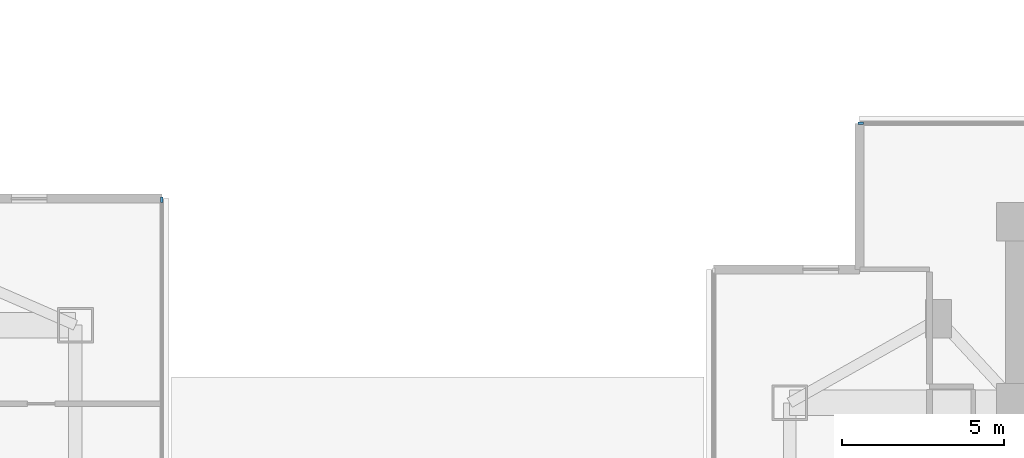
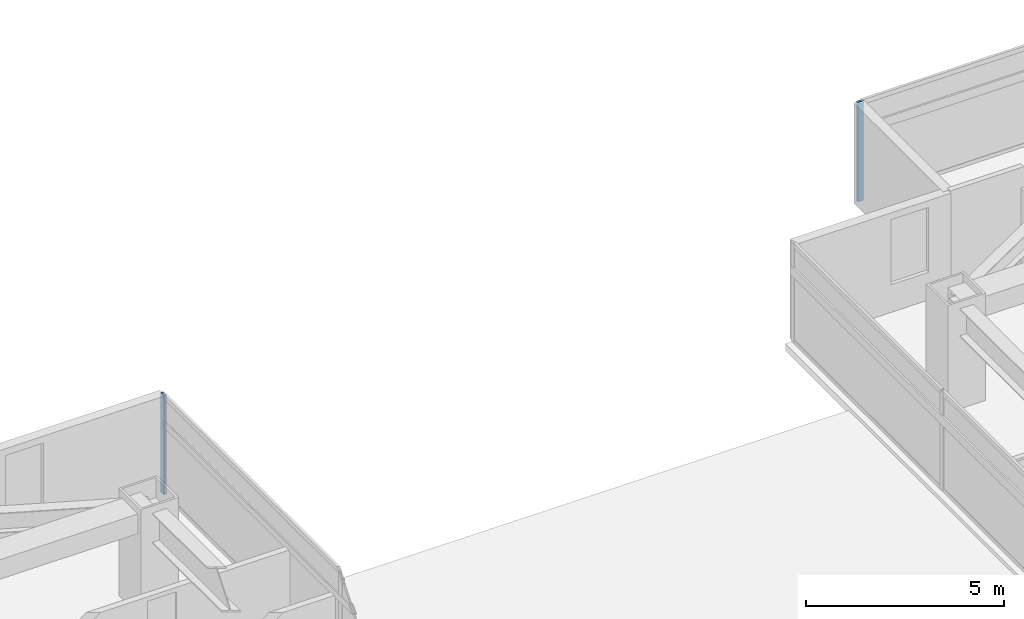
# One storey, part 8 of 26: 2 members, 2 elements without a shape of their own.
"""IFC4 building model written with IfcOpenShell, lengths in metres."""

import ifcopenshell
import ifcopenshell.guid

model = None  # the IFC model being written
_history = None  # IfcOwnerHistory: only IFC2X3 demands one
_inside = {}  # id of a spatial element -> (the spatial element, [elements in it])
_under = {}  # id of a project, library or spatial element -> (it, [spatial elements below it])
_declared = {}  # id of a project -> (the project, [libraries it declares])
_typed = {}  # id of a type object -> (the type object, [elements of that type])
_made_of = {}  # id of a material, layer set ... -> (it, [elements and type objects made of it])


def new_model(schema):
    """Start an empty IFC model of exactly this schema.

    Asked for "IFC4X3", IfcOpenShell would pick the latest addendum, in which some entities
    have other attributes; the version numbers below select the first issue.
    IFC2X3 requires an IfcOwnerHistory on every rooted entity: one is made here for all.
    """
    global model, _history
    if schema == "IFC4X3":
        model = ifcopenshell.file(schema_version=(4, 3, 0, 0))
    else:
        model = ifcopenshell.file(schema=schema)
    _inside.clear()
    _under.clear()
    _declared.clear()
    _typed.clear()
    _made_of.clear()
    _history = None
    if model.schema == "IFC2X3":
        org = make("IfcOrganization", Name="unknown")
        user = make(
            "IfcPersonAndOrganization",
            ThePerson=make("IfcPerson", FamilyName="unknown"),
            TheOrganization=org,
        )
        app = make(
            "IfcApplication",
            ApplicationDeveloper=org,
            Version="unknown",
            ApplicationFullName="unknown",
            ApplicationIdentifier="unknown",
        )
        _history = make(
            "IfcOwnerHistory",
            OwningUser=user,
            OwningApplication=app,
            ChangeAction="ADDED",
            CreationDate=0,
        )
    return model


def make(cls, **values):
    """One entity of the class cls with the attributes given. An attribute that is None is left unset."""
    return model.create_entity(
        cls, **{name: value for name, value in values.items() if value is not None}
    )


def rooted(cls, **values):
    """An entity with a GlobalId (a new one), such as an element, a storey or a relation."""
    return make(cls, GlobalId=ifcopenshell.guid.new(), OwnerHistory=_history, **values)


def si_unit(unit_type, name, prefix=None):
    """IfcSIUnit, for example si_unit("LENGTHUNIT", "METRE", prefix="MILLI")."""
    return make("IfcSIUnit", UnitType=unit_type, Prefix=prefix, Name=name)


def assignment(units):
    """IfcUnitAssignment: the units of a project."""
    return None if units is None else make("IfcUnitAssignment", Units=units)


def point(xyz):
    """IfcCartesianPoint."""
    return None if xyz is None else make("IfcCartesianPoint", Coordinates=xyz)


def direction(xyz):
    """IfcDirection."""
    return None if xyz is None else make("IfcDirection", DirectionRatios=xyz)


def frame(location, z_axis=None, x_axis=None):
    """IfcAxis2Placement3D, a coordinate frame: its origin and axes. An axis left out is left unset."""
    return make(
        "IfcAxis2Placement3D",
        Location=point(location),
        Axis=direction(z_axis),
        RefDirection=direction(x_axis),
    )


def frame_2d(location, x_axis=None):
    """IfcAxis2Placement2D, a coordinate frame in the plane: its origin and x axis."""
    return make(
        "IfcAxis2Placement2D", Location=point(location), RefDirection=direction(x_axis)
    )


def origin():
    """The frame at (0, 0, 0) with its axes left unset."""
    return frame((0.0, 0.0, 0.0))


def origin_2d():
    """The frame at (0, 0) in the plane with its x axis left unset."""
    return frame_2d((0.0, 0.0))


def place(relative_to, where):
    """IfcLocalPlacement: puts the frame where relative to a parent placement (None: the world)."""
    return make(
        "IfcLocalPlacement", PlacementRelTo=relative_to, RelativePlacement=where
    )


def context(
    kind, dimensions, precision=None, world=None, true_north=None, identifier=None
):
    """IfcGeometricRepresentationContext, for example the 3D "Model" context."""
    return make(
        "IfcGeometricRepresentationContext",
        ContextIdentifier=identifier,
        ContextType=kind,
        CoordinateSpaceDimension=dimensions,
        Precision=precision,
        WorldCoordinateSystem=world,
        TrueNorth=true_north,
    )


def subcontext(parent, identifier, kind, view, scale=None):
    """IfcGeometricRepresentationSubContext, for example "Body" below "Model"."""
    return make(
        "IfcGeometricRepresentationSubContext",
        ContextIdentifier=identifier,
        ContextType=kind,
        ParentContext=parent,
        TargetScale=scale,
        TargetView=view,
    )


def project(units=None, contexts=None):
    """IfcProject with its units and contexts."""
    return rooted(
        "IfcProject",
        Name="project",
        RepresentationContexts=contexts,
        UnitsInContext=assignment(units),
    )


def spatial(cls, under=None, at=None, **own):
    """A site, building, storey or space (cls), placed at a placement, below another one or the project."""
    s = rooted(cls, ObjectPlacement=at, **own)
    if under is not None:
        _under.setdefault(under.id(), (under, []))[1].append(s)
    return s


def profile(cls, at=None, kind="AREA", **sizes):
    """A parametric profile (cls). Its sizes go by their IFC names, for example OverallWidth=200.0."""
    return make(cls, ProfileType=kind, Position=at, **sizes)


def rectangle(**sizes):
    """IfcRectangleProfileDef."""
    return profile("IfcRectangleProfileDef", **sizes)


def extrude(swept, where, along, depth):
    """IfcExtrudedAreaSolid: the profile swept, set in the frame where, extruded along a direction by depth."""
    return make(
        "IfcExtrudedAreaSolid",
        SweptArea=swept,
        Position=where,
        ExtrudedDirection=direction(along),
        Depth=depth,
    )


def shape(context_of_items, identifier, shape_type, items):
    """IfcShapeRepresentation: the items that make up one representation, for example the "Body"."""
    return make(
        "IfcShapeRepresentation",
        ContextOfItems=context_of_items,
        RepresentationIdentifier=identifier,
        RepresentationType=shape_type,
        Items=items,
    )


def material(Name=None, Category=None):
    """IfcMaterial."""
    return make("IfcMaterial", Name=Name, Category=Category)


def material_profile(
    of_material, cross_section, Name=None, Category=None, Priority=None
):
    """IfcMaterialProfile: a cross section and its material."""
    return make(
        "IfcMaterialProfile",
        Name=Name,
        Material=of_material,
        Profile=cross_section,
        Priority=Priority,
        Category=Category,
    )


def profile_set(profiles, Name=None, composite=None):
    """IfcMaterialProfileSet."""
    return make(
        "IfcMaterialProfileSet",
        Name=Name,
        MaterialProfiles=profiles,
        CompositeProfile=composite,
    )


def made_of(thing, what):
    """Note that an element or type object is made of a material, layer set ...; save() writes the relation."""
    if what is not None:
        _made_of.setdefault(what.id(), (what, []))[1].append(thing)
    return thing


def type_object(cls, material=None, **own):
    """A type object (cls), such as IfcWallType, which elements share."""
    return made_of(rooted(cls, **own), material)


def element(
    cls,
    number,
    at=None,
    inside=None,
    cuts=None,
    type_object=None,
    material=None,
    context=None,
    identifier="Body",
    shape_type=None,
    held_by="IfcProductDefinitionShape",
    body=None,
    shapes=None,
    **own,
):
    """One element of the class cls, such as IfcWall. Its Tag is "e" and its number.

    at: its placement. inside: the storey or other place that contains it. cuts: it is an
    opening in that element (IfcRelVoidsElement). A single representation is given by context,
    identifier, shape_type and body (its items); several are given by shapes. held_by: the class
    of the entity that holds the representations. save() writes the other relations.
    """
    e = rooted(cls, Tag="e%d" % number, ObjectPlacement=at, **own)
    if body is not None:
        shapes = [shape(context, identifier, shape_type, body)]
    if shapes is not None:
        e.Representation = make(held_by, Representations=shapes)
    if inside is not None:
        _inside.setdefault(inside.id(), (inside, []))[1].append(e)
    if cuts is not None:
        rooted(
            "IfcRelVoidsElement", RelatingBuildingElement=cuts, RelatedOpeningElement=e
        )
    if type_object is not None:
        _typed.setdefault(type_object.id(), (type_object, []))[1].append(e)
    return made_of(e, material)


def aggregate(whole, parts):
    """IfcRelAggregates: a whole, such as a stair, and the parts it consists of."""
    return rooted("IfcRelAggregates", RelatingObject=whole, RelatedObjects=parts)


def save(model, path):
    """Write the relations noted so far, then the file.

    IfcRelAggregates (storeys below a building ...), IfcRelContainedInSpatialStructure (elements
    in a storey), IfcRelDefinesByType, IfcRelAssociatesMaterial and IfcRelDeclares: one each for
    every whole, place, type object, material and project.
    """
    for whole, parts in _under.values():
        aggregate(whole, parts)
    for where, things in _inside.values():
        rooted(
            "IfcRelContainedInSpatialStructure",
            RelatedElements=things,
            RelatingStructure=where,
        )
    for kind, things in _typed.values():
        rooted("IfcRelDefinesByType", RelatedObjects=things, RelatingType=kind)
    for what, things in _made_of.values():
        rooted("IfcRelAssociatesMaterial", RelatedObjects=things, RelatingMaterial=what)
    for by, libraries in _declared.values():
        rooted("IfcRelDeclares", RelatingContext=by, RelatedDefinitions=libraries)
    model.write(path)


model = new_model("IFC4")

# Units and contexts
model_context = context("Model", 3, precision=1e-05, world=origin(), true_north=direction((0.0, 1.0)))
body_context = subcontext(model_context, "Body", "Model", "MODEL_VIEW")
ifc_project = project(units=[si_unit("LENGTHUNIT", "METRE"), si_unit("AREAUNIT", "SQUARE_METRE"), si_unit("VOLUMEUNIT", "CUBIC_METRE"), si_unit("PLANEANGLEUNIT", "RADIAN"), si_unit("MASSUNIT", "GRAM", prefix="KILO")], contexts=[model_context])

# Site, building, storey
site_placement = place(None, origin())
site = spatial("IfcSite", under=ifc_project, at=site_placement, CompositionType="ELEMENT")
building_placement = place(site_placement, origin())
building = spatial("IfcBuilding", under=site, at=building_placement, Name="Mirazonda Arch Towers", CompositionType="ELEMENT")
storey_placement = place(building_placement, frame((0.0, 0.0, 98.300048828125)))
storey = spatial("IfcBuildingStorey", under=building, at=storey_placement, Name="L27", CompositionType="ELEMENT", Elevation=98.300048828125)

# Curtain wall, member
ifc_material_1 = material(Name="Anodised Aluminium and Low-E Glass", Category="aluminium")
curtain_wall_type = type_object("IfcCurtainWallType", Name="CW-HTL-UNIT", PredefinedType="NOTDEFINED", material=ifc_material_1)
curtain_wall_1_placement = place(storey_placement, origin())
curtain_wall_1 = element("IfcCurtainWall", 1, at=curtain_wall_1_placement, inside=storey, type_object=curtain_wall_type, Name="L27 T1 E Facade CW-L27-T1-E", PredefinedType="NOTDEFINED")
ifc_material_2 = material(Name="Anodised Aluminium Alloy", Category="aluminium")
ifc_material_profile = material_profile(ifc_material_2, rectangle(XDim=0.074951171875, YDim=0.1650390625, at=origin_2d()), Name="ALU-MULL-75x165")
ifc_profile_set = profile_set([ifc_material_profile], Name="Anodised Aluminium Alloy")
member_type = type_object("IfcMemberType", Name="MULL-CW-HTL-UNIT", PredefinedType="MULLION", material=ifc_profile_set)
member_1_placement = place(storey_placement, frame((41.570068359375, 41.4814453125, 0.0), z_axis=(0.0, 0.0, 1.0), x_axis=(-1.0, 0.0, 0.0)))
member_1 = element("IfcMember", 2, at=member_1_placement, type_object=member_type, Name="CW-112 mullion 4", PredefinedType="MULLION", context=body_context, shape_type="SweptSolid", body=[
    extrude(rectangle(XDim=0.074951171875, YDim=0.1650390625, at=origin_2d()), origin(), (0.0, 0.0, 1.0), 3.06005859375),
])
aggregate(curtain_wall_1, [member_1])

curtain_wall_2_placement = place(storey_placement, origin())
curtain_wall_2 = element("IfcCurtainWall", 3, at=curtain_wall_2_placement, inside=storey, type_object=curtain_wall_type, Name="L27 T2 N Facade CW-L27-T2-N", PredefinedType="NOTDEFINED")
member_2_placement = place(storey_placement, frame((63.197265625, 43.847412109375, 0.0), z_axis=(0.0, 0.0, 1.0), x_axis=(0.0, 1.0, 0.0)))
member_2 = element("IfcMember", 4, at=member_2_placement, type_object=member_type, Name="CW-112 mullion 1", PredefinedType="MULLION", context=body_context, shape_type="SweptSolid", body=[
    extrude(rectangle(XDim=0.074951171875, YDim=0.1650390625, at=origin_2d()), origin(), (0.0, 0.0, 1.0), 3.06005859375),
])
aggregate(curtain_wall_2, [member_2])

save(model, "model.ifc")
